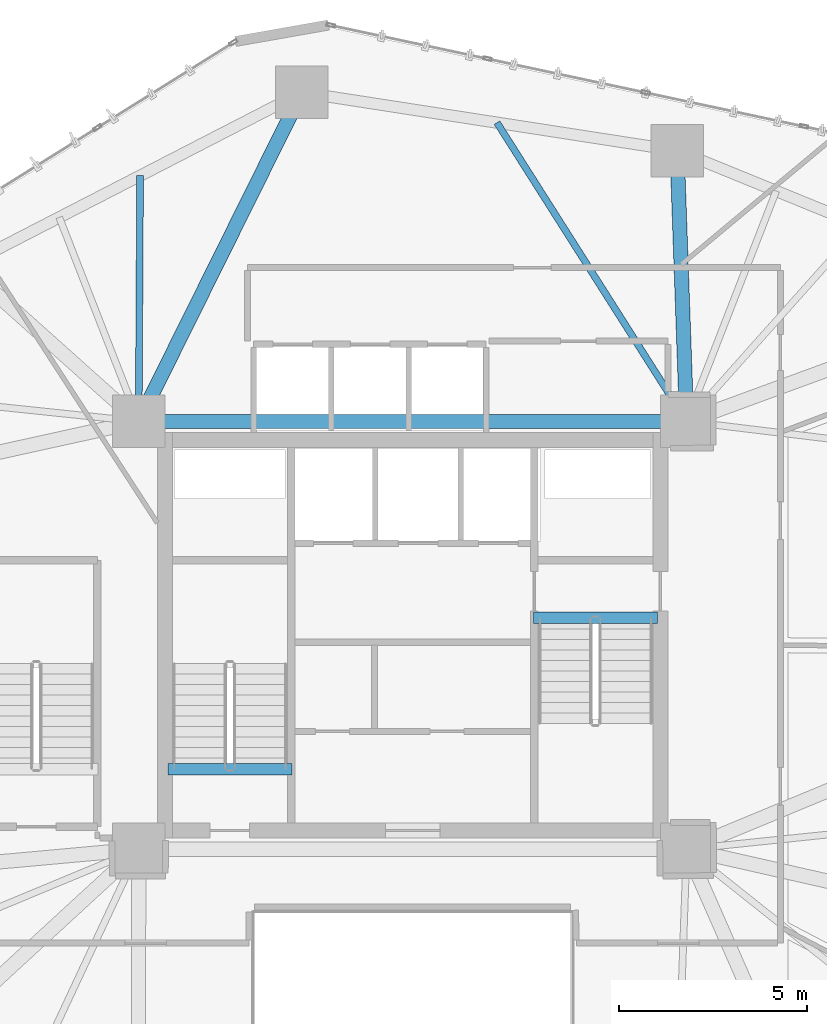
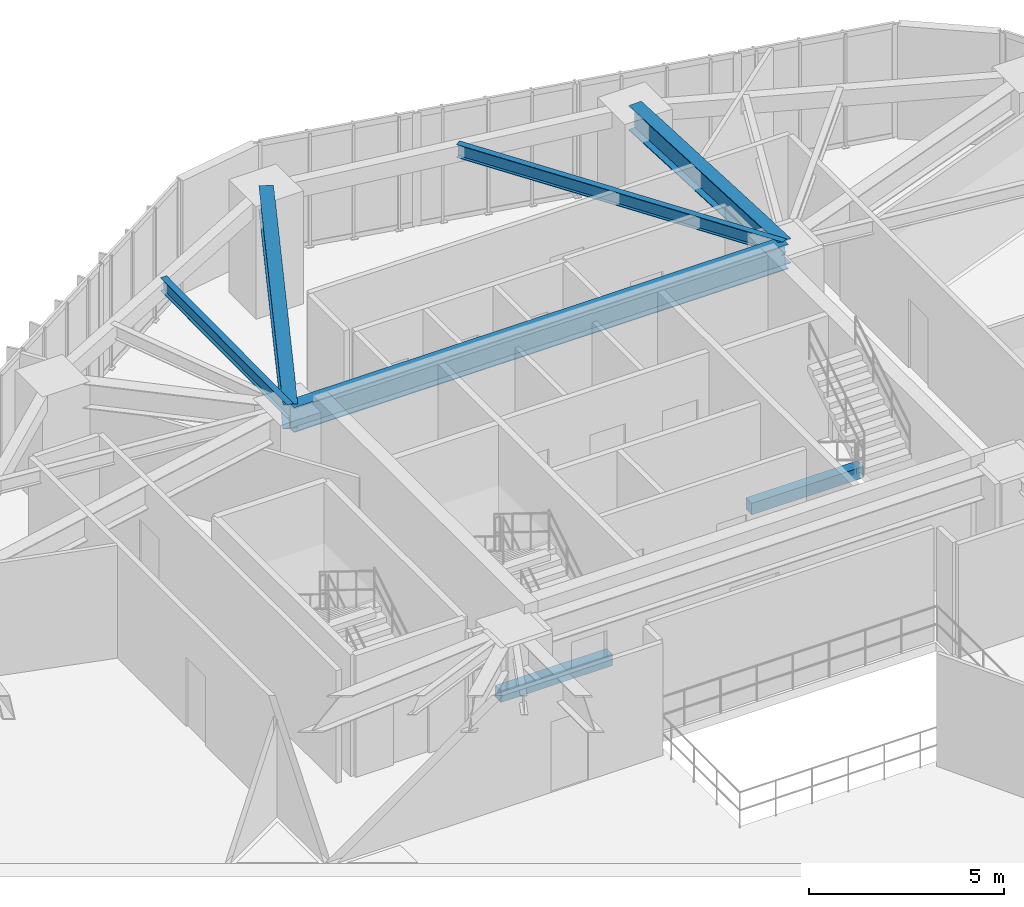
# One storey, part 8 of 22: 7 beams.
"""IFC4 building model written with IfcOpenShell, lengths in metres."""

from ifc_helpers import new_model, si_unit, direction, frame, origin, origin_2d, place, context, subcontext, project, spatial, rectangle, i_section, extrude, material, material_profile, profile_set, type_object, element, save


model = new_model("IFC4")

# Units and contexts
model_context = context("Model", 3, precision=1e-05, world=origin(), true_north=direction((0.0, 1.0)))
body_context = subcontext(model_context, "Body", "Model", "MODEL_VIEW")
ifc_project = project(units=[si_unit("LENGTHUNIT", "METRE"), si_unit("AREAUNIT", "SQUARE_METRE"), si_unit("VOLUMEUNIT", "CUBIC_METRE"), si_unit("PLANEANGLEUNIT", "RADIAN"), si_unit("MASSUNIT", "GRAM", prefix="KILO")], contexts=[model_context])

# Site, building, storey
site_placement = place(None, origin())
site = spatial("IfcSite", under=ifc_project, at=site_placement, CompositionType="ELEMENT")
building_placement = place(site_placement, origin())
building = spatial("IfcBuilding", under=site, at=building_placement, Name="Talar Marvaseh", CompositionType="ELEMENT")
storey_placement = place(building_placement, frame((0.0, 0.0, 54.39990234375)))
storey = spatial("IfcBuildingStorey", under=building, at=storey_placement, Name="L13", CompositionType="ELEMENT", Elevation=54.39990234375)

# Beams
ifc_material_1 = material(Name="Concrete C40/50", Category="concrete")
ifc_material_profile_1 = material_profile(ifc_material_1, rectangle(XDim=0.300048828125, YDim=0.360107421875, at=origin_2d()), Name="RC300x360")
ifc_profile_set_1 = profile_set([ifc_material_profile_1], Name="Concrete C40/50")
beam_type_1 = type_object("IfcBeamType", Name="Concrete Stair Landing Trimmer Beam RC300x360", PredefinedType="SPANDREL", material=ifc_profile_set_1)
for number, where, z_axis, x_axis, name in (
    (1, (22.780029296875, 27.6298828125, -0.179931640625), (-1.0, 0.0, 0.0), (0.0, -1.0, 0.0), "L13 ST-1 Stair Nosing Trimmer Beam"),
    (2, (29.219970703125, 31.669921875, -0.179931640625), (1.0, 0.0, 0.0), (0.0, 1.0, 0.0), "L13 ST-2 Stair Nosing Trimmer Beam"),
):
    element("IfcBeam", number, at=place(storey_placement, frame(where, z_axis=z_axis, x_axis=x_axis)), inside=storey, type_object=beam_type_1, Name=name, PredefinedType="SPANDREL", context=body_context, shape_type="SweptSolid", body=[
        extrude(rectangle(XDim=0.300048828125, YDim=0.360107421875, at=origin_2d()), origin(), (0.0, 0.0, 1.0), 3.300048828125),
    ])
ifc_material_2 = material(Name="Steel S355", Category="steel")
ifc_material_profile_2 = material_profile(ifc_material_2, i_section(OverallWidth=0.381103515625, OverallDepth=0.77294921875, WebThickness=0.0166015625, FlangeThickness=0.027099609375, at=origin_2d()), Name="W760x257")
ifc_profile_set_2 = profile_set([ifc_material_profile_2], Name="Steel S355")
beam_type_2 = type_object("IfcBeamType", Name="Zone 1 Radial Floor Girder W760x257", PredefinedType="BEAM", material=ifc_profile_set_2)
beam_1_placement = place(storey_placement, frame((18.699951171875, 36.89990234375, 3.133544921875), z_axis=(1.0, 0.0, 0.0), x_axis=(0.0, 1.0, 0.0)))
element("IfcBeam", 3, at=beam_1_placement, inside=storey, type_object=beam_type_2, Name="L13 Zone 1 Radial Floor Girder W760x257", PredefinedType="BEAM", context=body_context, shape_type="SweptSolid", body=[
    extrude(i_section(OverallWidth=0.381103515625, OverallDepth=0.77294921875, WebThickness=0.0166015625, FlangeThickness=0.027099609375, at=origin_2d()), origin(), (0.0, 0.0, 1.0), 14.60009765625),
])
beam_2_placement = place(storey_placement, frame((23.047119140625, 45.6669921875, 3.133544921875), z_axis=(-0.444237233911, -0.895909191831, 0.0), x_axis=(0.895909191831, -0.444237233911, 0.0)))
element("IfcBeam", 4, at=beam_2_placement, inside=storey, type_object=beam_type_2, Name="L13 Zone 1 Radial Floor Girder W760x257", PredefinedType="BEAM", context=body_context, shape_type="SweptSolid", body=[
    extrude(i_section(OverallWidth=0.381103515625, OverallDepth=0.77294921875, WebThickness=0.0166015625, FlangeThickness=0.027099609375, at=origin_2d()), origin(), (0.0, 0.0, 1.0), 9.78564453125),
])
beam_3_placement = place(storey_placement, frame((33.0458984375, 44.117919921875, 3.133544921875), z_axis=(0.03518874657, -0.999380684281, 0.0), x_axis=(0.999380684281, 0.03518874657, 0.0)))
element("IfcBeam", 5, at=beam_3_placement, inside=storey, type_object=beam_type_2, Name="L13 Zone 1 Radial Floor Girder W760x257", PredefinedType="BEAM", context=body_context, shape_type="SweptSolid", body=[
    extrude(i_section(OverallWidth=0.381103515625, OverallDepth=0.77294921875, WebThickness=0.0166015625, FlangeThickness=0.027099609375, at=origin_2d()), origin(), (0.0, 0.0, 1.0), 7.222412109375),
])
ifc_material_profile_3 = material_profile(ifc_material_2, i_section(OverallWidth=0.179931640625, OverallDepth=0.4130859375, WebThickness=0.009765625, FlangeThickness=0.01611328125, at=origin_2d()), Name="W410x75")
ifc_profile_set_3 = profile_set([ifc_material_profile_3], Name="Steel S355")
beam_type_3 = type_object("IfcBeamType", Name="Zone 1 Secondary Floor Joist W410x75", PredefinedType="JOIST", material=ifc_profile_set_3)
beam_4_placement = place(storey_placement, frame((18.737548828125, 43.447509765625, 3.3134765625), z_axis=(-0.00574210303, -0.999983513991, 0.0), x_axis=(0.999983513991, -0.00574210303, 0.0)))
element("IfcBeam", 6, at=beam_4_placement, inside=storey, type_object=beam_type_3, Name="L13 Zone 1 Secondary Floor Joist W410x75", PredefinedType="JOIST", context=body_context, shape_type="SweptSolid", body=[
    extrude(i_section(OverallWidth=0.179931640625, OverallDepth=0.4130859375, WebThickness=0.009765625, FlangeThickness=0.01611328125, at=origin_2d()), origin(), (0.0, 0.0, 1.0), 6.547607421875),
])
beam_5_placement = place(storey_placement, frame((28.24658203125, 44.861572265625, 3.3134765625), z_axis=(0.53589010079, -0.844287747083, 0.0), x_axis=(0.844287747083, 0.53589010079, 0.0)))
element("IfcBeam", 7, at=beam_5_placement, inside=storey, type_object=beam_type_3, Name="L13 Zone 1 Secondary Floor Joist W410x75", PredefinedType="JOIST", context=body_context, shape_type="SweptSolid", body=[
    extrude(i_section(OverallWidth=0.179931640625, OverallDepth=0.4130859375, WebThickness=0.009765625, FlangeThickness=0.01611328125, at=origin_2d()), origin(), (0.0, 0.0, 1.0), 9.429931640625),
])

save(model, "model.ifc")
